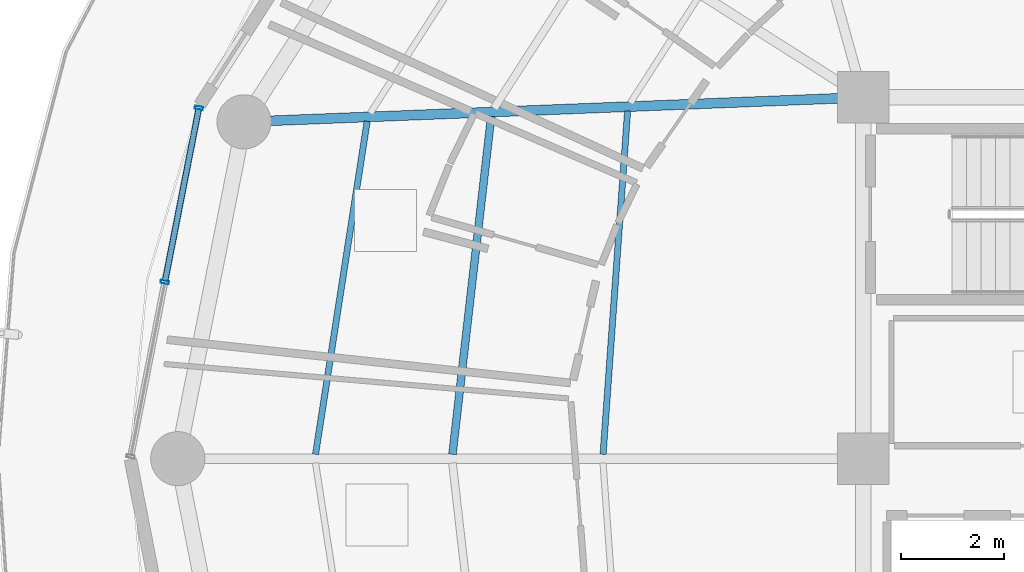
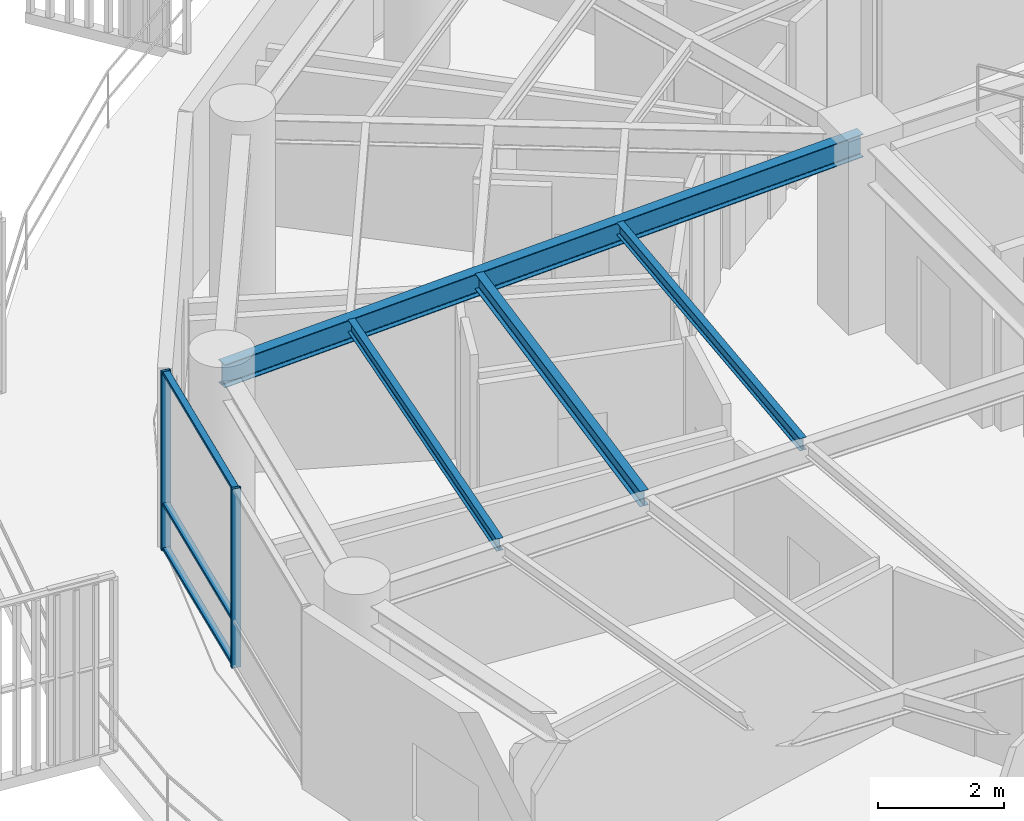
# One storey, part 8 of 31: 5 members, 4 beams, 1 element without a shape of its own.
"""IFC4 building model written with IfcOpenShell, lengths in metres."""

from ifc_helpers import new_model, si_unit, direction, frame, origin, origin_2d, place, context, subcontext, project, spatial, hollow_rectangle, i_section, extrude, material, layer, layer_set, material_profile, profile_set, type_object, element, aggregate, save


model = new_model("IFC4")

# Units and contexts
model_context = context("Model", 3, precision=1e-05, world=origin(), true_north=direction((0.0, 1.0)))
body_context = subcontext(model_context, "Body", "Model", "MODEL_VIEW")
ifc_project = project(units=[si_unit("LENGTHUNIT", "METRE"), si_unit("AREAUNIT", "SQUARE_METRE"), si_unit("VOLUMEUNIT", "CUBIC_METRE"), si_unit("PLANEANGLEUNIT", "RADIAN"), si_unit("MASSUNIT", "GRAM", prefix="KILO")], contexts=[model_context])

# Site, building, storey
site_placement = place(None, origin())
site = spatial("IfcSite", under=ifc_project, at=site_placement, CompositionType="ELEMENT")
building_placement = place(site_placement, origin())
building = spatial("IfcBuilding", under=site, at=building_placement, Name="Kelanora Arch Commons", CompositionType="ELEMENT")
storey_placement = place(building_placement, frame((0.0, 0.0, 219.449951171875)))
storey = spatial("IfcBuildingStorey", under=building, at=storey_placement, Name="L56", CompositionType="ELEMENT", Elevation=219.449951171875)

# Beams
ifc_material_1 = material(Name="Steel S355", Category="steel")
ifc_material_profile_1 = material_profile(ifc_material_1, i_section(OverallWidth=0.14990234375, OverallDepth=0.300048828125, WebThickness=0.007080078125, FlangeThickness=0.0107421875, FilletRadius=0.014892578125, at=origin_2d()), Name="IPE300")
ifc_profile_set_1 = profile_set([ifc_material_profile_1], Name="Steel S355")
beam_type_1 = type_object("IfcBeamType", Name="BM-JST-01", PredefinedType="JOIST", material=ifc_profile_set_1)
beam_1_placement = place(storey_placement, frame((58.792236328125, 64.631103515625, 3.340087890625), z_axis=(-0.113891408177, -0.993493204377, 0.0), x_axis=(0.993493204377, -0.113891408177, 0.0)))
element("IfcBeam", 1, at=beam_1_placement, inside=storey, type_object=beam_type_1, Name="Secondary Chord Joist BJB-16 L56", PredefinedType="JOIST", context=body_context, shape_type="SweptSolid", body=[
    extrude(i_section(OverallWidth=0.14990234375, OverallDepth=0.300048828125, WebThickness=0.007080078125, FlangeThickness=0.0107421875, FilletRadius=0.014892578125, at=origin_2d()), origin(), (0.0, 0.0, 1.0), 6.589599609375),
])
ifc_material_profile_2 = material_profile(ifc_material_1, i_section(OverallWidth=0.1201171875, OverallDepth=0.239990234375, WebThickness=0.006103515625, FlangeThickness=0.009765625, FilletRadius=0.014892578125, at=origin_2d()), Name="IPE240")
ifc_profile_set_2 = profile_set([ifc_material_profile_2], Name="Steel S355")
beam_type_2 = type_object("IfcBeamType", Name="BM-JST-02", PredefinedType="JOIST", material=ifc_profile_set_2)
beam_2_placement = place(storey_placement, frame((61.435302734375, 64.735107421875, 3.3701171875), z_axis=(-0.07133032136, -0.997452748382, 0.0), x_axis=(0.997452748382, -0.07133032136, 0.0)))
element("IfcBeam", 2, at=beam_2_placement, inside=storey, type_object=beam_type_2, Name="Secondary Chord Joist BJA-16 L56", PredefinedType="JOIST", context=body_context, shape_type="SweptSolid", body=[
    extrude(i_section(OverallWidth=0.1201171875, OverallDepth=0.239990234375, WebThickness=0.006103515625, FlangeThickness=0.009765625, FilletRadius=0.014892578125, at=origin_2d()), origin(), (0.0, 0.0, 1.0), 6.66748046875),
])
beam_3_placement = place(storey_placement, frame((56.3896484375, 64.53662109375, 3.3701171875), z_axis=(-0.153256756152, -0.988186402808, 0.0), x_axis=(0.988186402808, -0.153256756152, 0.0)))
element("IfcBeam", 3, at=beam_3_placement, inside=storey, type_object=beam_type_2, Name="Secondary Chord Joist BJC-16 L56", PredefinedType="JOIST", context=body_context, shape_type="SweptSolid", body=[
    extrude(i_section(OverallWidth=0.1201171875, OverallDepth=0.239990234375, WebThickness=0.006103515625, FlangeThickness=0.009765625, FilletRadius=0.014892578125, at=origin_2d()), origin(), (0.0, 0.0, 1.0), 6.52978515625),
])
ifc_material_profile_3 = material_profile(ifc_material_1, i_section(OverallWidth=0.18994140625, OverallDepth=0.449951171875, WebThickness=0.009521484375, FlangeThickness=0.0146484375, FilletRadius=0.02099609375, at=origin_2d()), Name="IPE450")
ifc_profile_set_3 = profile_set([ifc_material_profile_3], Name="Steel S355")
beam_type_3 = type_object("IfcBeamType", Name="BM-RAD-Z4", PredefinedType="BEAM", material=ifc_profile_set_3)
beam_4_placement = place(storey_placement, frame((66.0, 65.0, 3.26513671875), z_axis=(-0.999219142585, -0.03951082246, 0.0), x_axis=(0.03951082246, -0.999219142585, 0.0)))
element("IfcBeam", 4, at=beam_4_placement, inside=storey, type_object=beam_type_3, Name="Radial Floor Girder BR-16 L56", PredefinedType="BEAM", context=body_context, shape_type="SweptSolid", body=[
    extrude(i_section(OverallWidth=0.18994140625, OverallDepth=0.449951171875, WebThickness=0.009521484375, FlangeThickness=0.0146484375, FilletRadius=0.02099609375, at=origin_2d()), origin(), (0.0, 0.0, 1.0), 12.005859375),
])

# Curtain wall, members
ifc_material_2 = material(Name="Terracotta ceramic-fritted low-E glass and aluminium", Category="masonry")
ifc_layer = layer(ifc_material_2, 0.175048828125)
ifc_layer_set = layer_set([ifc_layer], Name="Terracotta ceramic-fritted low-E glass and aluminium")
curtain_wall_type = type_object("IfcCurtainWallType", Name="CW-SYS-02", PredefinedType="NOTDEFINED", material=ifc_layer_set)
curtain_wall_placement = place(storey_placement, origin())
curtain_wall = element("IfcCurtainWall", 5, at=curtain_wall_placement, inside=storey, type_object=curtain_wall_type, Name="Unitised Curtain Wall L56-B08", PredefinedType="NOTDEFINED")
ifc_material_3 = material(Name="Powder-coated aluminium terracotta", Category="masonry")
ifc_material_profile_4 = material_profile(ifc_material_3, hollow_rectangle(XDim=0.159912109375, YDim=0.06005859375, WallThickness=0.0048828125, InnerFilletRadius=0.0048828125, OuterFilletRadius=0.010009765625, at=origin_2d()), Name="CWM160x60")
ifc_profile_set_4 = profile_set([ifc_material_profile_4], Name="Powder-coated aluminium terracotta")
member_type_1 = type_object("IfcMemberType", Name="CWM-STD", PredefinedType="MULLION", material=ifc_profile_set_4)
member_1_placement = place(storey_placement, frame((53.130126953125, 64.796142578125, 0.0), z_axis=(0.0, 0.0, 1.0), x_axis=(0.981381438349, -0.192068926335, 0.0)))
member_1 = element("IfcMember", 6, at=member_1_placement, type_object=member_type_1, Name="CW-02 mullion 1", PredefinedType="MULLION", context=body_context, shape_type="SweptSolid", body=[
    extrude(hollow_rectangle(XDim=0.159912109375, YDim=0.06005859375, WallThickness=0.0048828125, InnerFilletRadius=0.0048828125, OuterFilletRadius=0.010009765625, at=origin_2d()), origin(), (0.0, 0.0, 1.0), 3.47509765625),
])
member_2_placement = place(storey_placement, frame((52.469482421875, 61.420166015625, 0.0), z_axis=(0.0, 0.0, 1.0), x_axis=(0.981381438349, -0.192068926335, 0.0)))
member_2 = element("IfcMember", 7, at=member_2_placement, type_object=member_type_1, Name="CW-02 mullion 2", PredefinedType="MULLION", context=body_context, shape_type="SweptSolid", body=[
    extrude(hollow_rectangle(XDim=0.159912109375, YDim=0.06005859375, WallThickness=0.0048828125, InnerFilletRadius=0.0048828125, OuterFilletRadius=0.010009765625, at=origin_2d()), origin(), (0.0, 0.0, 1.0), 3.47509765625),
])
ifc_material_profile_5 = material_profile(ifc_material_3, hollow_rectangle(XDim=0.1201171875, YDim=0.06005859375, WallThickness=0.0048828125, InnerFilletRadius=0.0048828125, OuterFilletRadius=0.010009765625, at=origin_2d()), Name="CWT120x60")
ifc_profile_set_5 = profile_set([ifc_material_profile_5], Name="Powder-coated aluminium terracotta")
member_type_2 = type_object("IfcMemberType", Name="CWT-STD", PredefinedType="USERDEFINED", material=ifc_profile_set_5)
member_3_placement = place(storey_placement, frame((53.124267578125, 64.766845703125, 0.030029296875), z_axis=(-0.192058488005, -0.981383481207, 0.0), x_axis=(0.981383481207, -0.192058488005, 0.0)))
member_3 = element("IfcMember", 8, at=member_3_placement, type_object=member_type_2, Name="CW-02 transom 1.1", ObjectType="TRANSOM", PredefinedType="USERDEFINED", context=body_context, shape_type="SweptSolid", body=[
    extrude(hollow_rectangle(XDim=0.1201171875, YDim=0.06005859375, WallThickness=0.0048828125, InnerFilletRadius=0.0048828125, OuterFilletRadius=0.010009765625, at=origin_2d()), origin(), (0.0, 0.0, 1.0), 3.380126953125),
])
member_4_placement = place(storey_placement, frame((53.124267578125, 64.766845703125, 0.900146484375), z_axis=(-0.192058488005, -0.981383481207, 0.0), x_axis=(0.981383481207, -0.192058488005, 0.0)))
member_4 = element("IfcMember", 9, at=member_4_placement, type_object=member_type_2, Name="CW-02 transom 1.2", ObjectType="TRANSOM", PredefinedType="USERDEFINED", context=body_context, shape_type="SweptSolid", body=[
    extrude(hollow_rectangle(XDim=0.1201171875, YDim=0.06005859375, WallThickness=0.0048828125, InnerFilletRadius=0.0048828125, OuterFilletRadius=0.010009765625, at=origin_2d()), origin(), (0.0, 0.0, 1.0), 3.380126953125),
])
member_5_placement = place(storey_placement, frame((53.124267578125, 64.766845703125, 3.445068359375), z_axis=(-0.192058488005, -0.981383481207, 0.0), x_axis=(0.981383481207, -0.192058488005, 0.0)))
member_5 = element("IfcMember", 10, at=member_5_placement, type_object=member_type_2, Name="CW-02 transom 1.3", ObjectType="TRANSOM", PredefinedType="USERDEFINED", context=body_context, shape_type="SweptSolid", body=[
    extrude(hollow_rectangle(XDim=0.1201171875, YDim=0.06005859375, WallThickness=0.0048828125, InnerFilletRadius=0.0048828125, OuterFilletRadius=0.010009765625, at=origin_2d()), origin(), (0.0, 0.0, 1.0), 3.380126953125),
])
aggregate(curtain_wall, [member_1, member_2, member_3, member_4, member_5])

save(model, "model.ifc")
